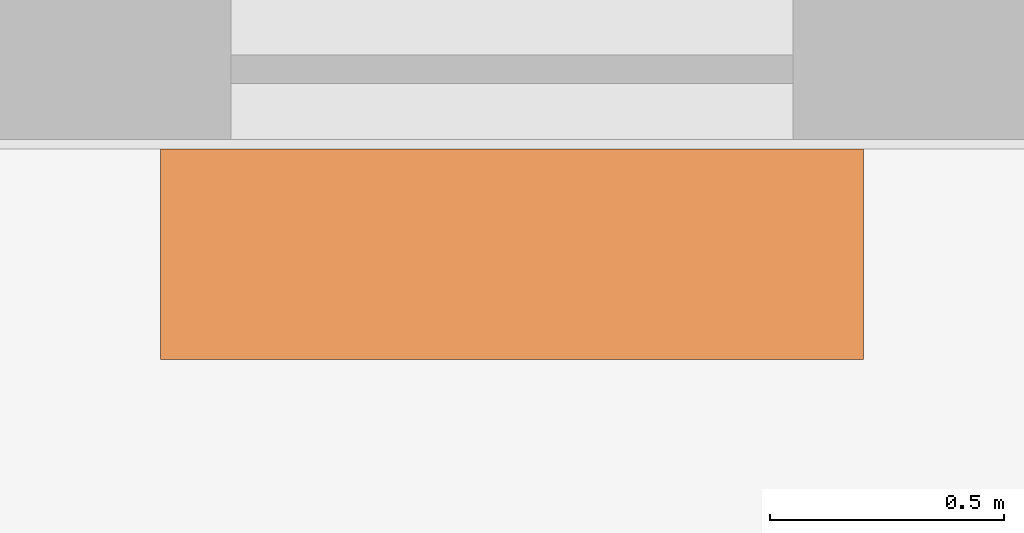
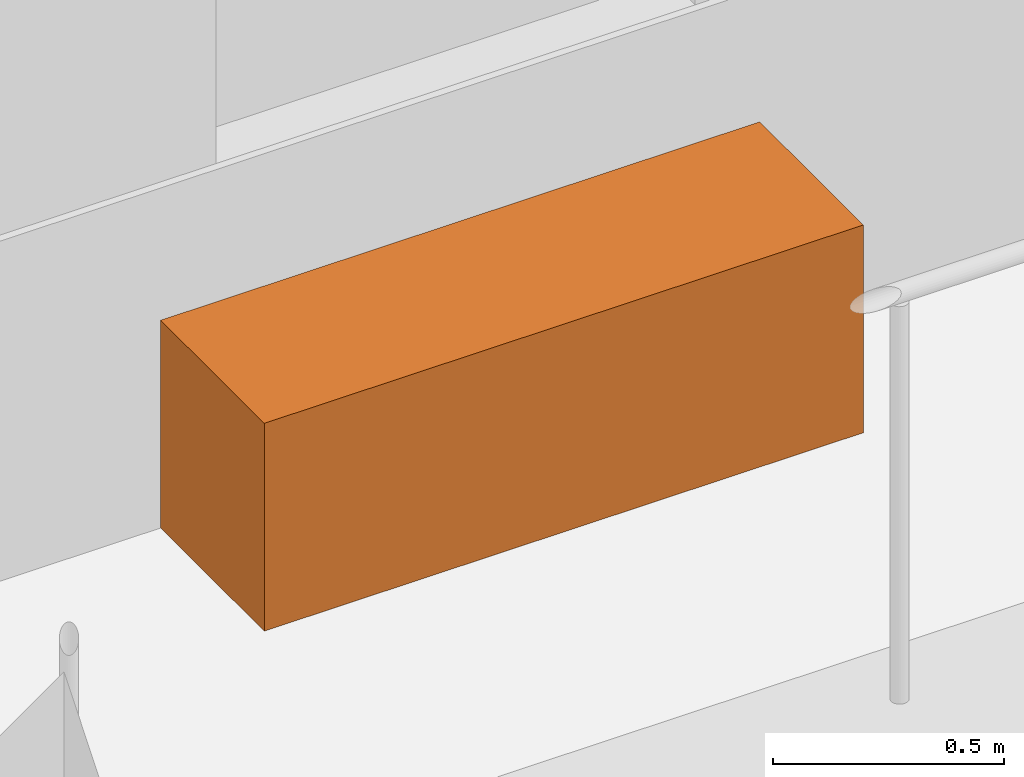
# One storey, part 13 of 13: 1 proxy.
"""IFC4 building model written with IfcOpenShell, lengths in metres."""

from ifc_helpers import new_model, si_unit, direction, frame, origin, origin_2d, place, context, subcontext, project, spatial, rectangle, extrude, element, save


model = new_model("IFC4")

# Units and contexts
model_context = context("Model", 3, precision=1e-05, world=origin(), true_north=direction((0.0, 1.0)))
body_context = subcontext(model_context, "Body", "Model", "MODEL_VIEW")
ifc_project = project(units=[si_unit("LENGTHUNIT", "METRE"), si_unit("AREAUNIT", "SQUARE_METRE"), si_unit("VOLUMEUNIT", "CUBIC_METRE"), si_unit("PLANEANGLEUNIT", "RADIAN"), si_unit("MASSUNIT", "GRAM", prefix="KILO")], contexts=[model_context])

# Site, building, storey
site_placement = place(None, origin())
site = spatial("IfcSite", under=ifc_project, at=site_placement, CompositionType="ELEMENT")
building_placement = place(site_placement, origin())
building = spatial("IfcBuilding", under=site, at=building_placement, Name="Candeia Pilgrim Tower and Theatre", CompositionType="ELEMENT")
storey_placement = place(building_placement, frame((0.0, 0.0, 105.800048828125)))
storey = spatial("IfcBuildingStorey", under=building, at=storey_placement, Name="L24", CompositionType="ELEMENT", Elevation=105.800048828125)

# Proxy
proxy_placement = place(storey_placement, frame((102.89990234375, 99.2548828125, 0.0), z_axis=(0.0, 0.0, 1.0), x_axis=(1.0, 0.0, 0.0)))
element("IfcBuildingElementProxy", 1, at=proxy_placement, inside=storey, Name="Planter", ObjectType="PLANTER", PredefinedType="USERDEFINED", context=body_context, shape_type="SweptSolid", body=[
    extrude(rectangle(XDim=1.5, YDim=0.449951171875, at=origin_2d()), origin(), (0.0, 0.0, 1.0), 0.550048828125),
])

save(model, "model.ifc")
